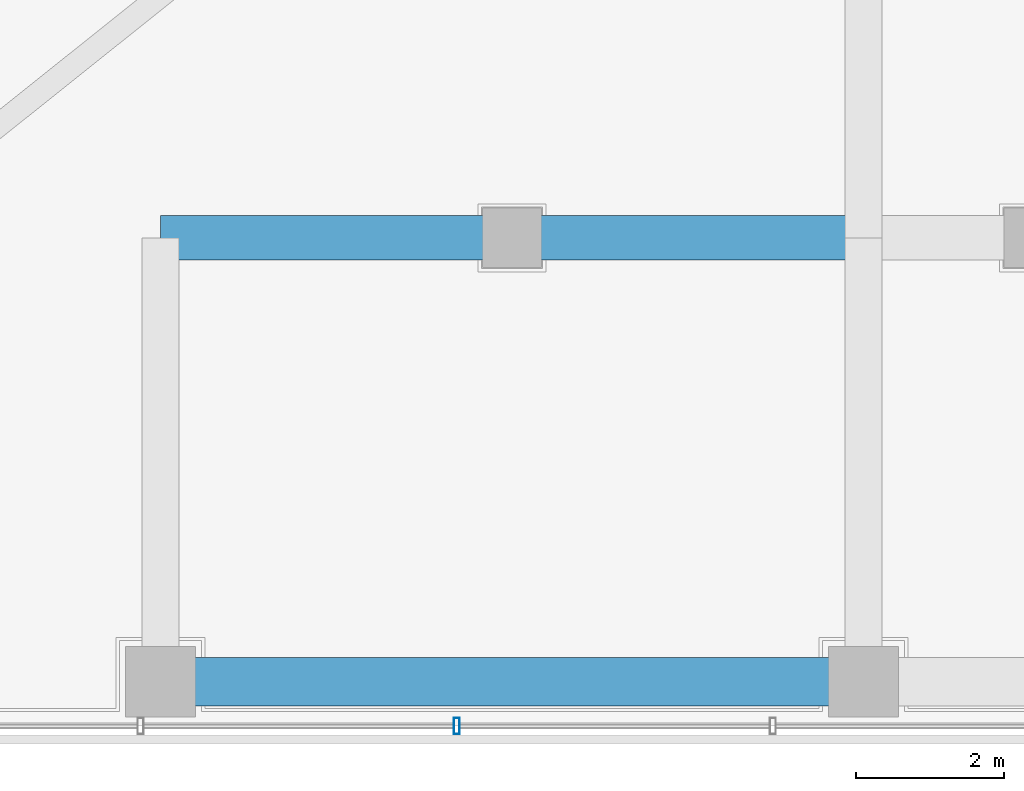
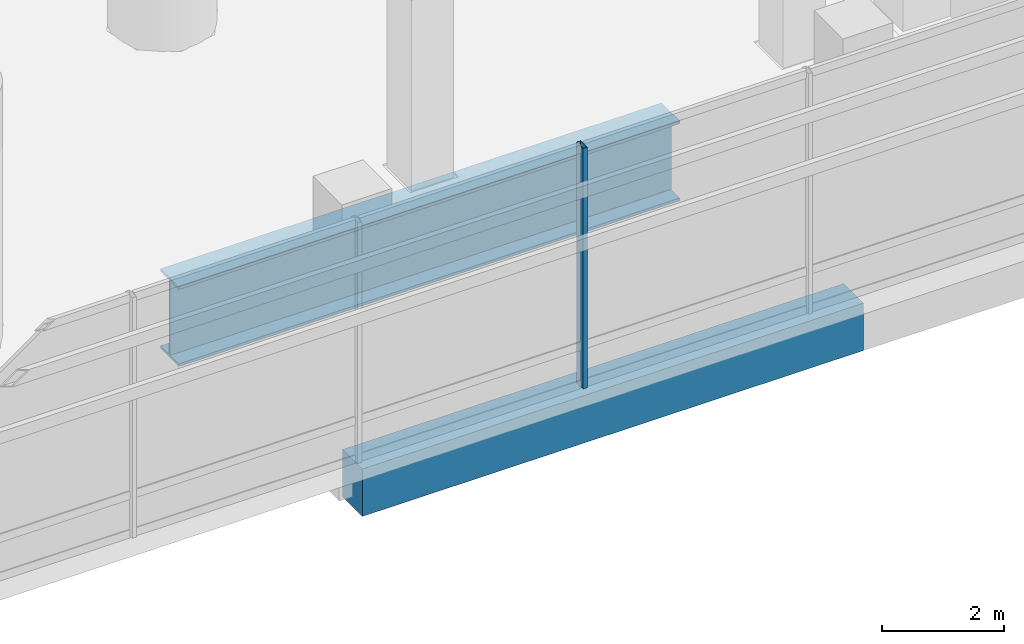
# One storey, part 9 of 31: 2 beams, 1 member, 1 element without a shape of its own.
"""IFC4 building model written with IfcOpenShell, lengths in metres."""

from ifc_helpers import new_model, si_unit, direction, frame, origin, origin_2d, place, context, subcontext, project, spatial, rectangle, hollow_rectangle, i_section, extrude, source, transform, mapped, material, material_profile, profile_set, type_object, element, aggregate, save


model = new_model("IFC4")

# Units and contexts
model_context = context("Model", 3, precision=1e-05, world=origin(), true_north=direction((-0.2419218956, 0.970295726276)))
body_context = subcontext(model_context, "Body", "Model", "MODEL_VIEW")
ifc_project = project(units=[si_unit("LENGTHUNIT", "METRE"), si_unit("AREAUNIT", "SQUARE_METRE"), si_unit("VOLUMEUNIT", "CUBIC_METRE"), si_unit("PLANEANGLEUNIT", "RADIAN"), si_unit("MASSUNIT", "GRAM", prefix="KILO")], contexts=[model_context])

# Site, building, storey
site_placement = place(None, origin())
site = spatial("IfcSite", under=ifc_project, at=site_placement, CompositionType="ELEMENT")
building_placement = place(site_placement, origin())
building = spatial("IfcBuilding", under=site, at=building_placement, Name="Cobrevalo Terracotta Tower", CompositionType="ELEMENT")
storey_placement = place(building_placement, frame((0.0, 0.0, 18.89990234375)))
storey = spatial("IfcBuildingStorey", under=building, at=storey_placement, Name="L04", CompositionType="ELEMENT", Elevation=18.89990234375)

# Beams
ifc_material_1 = material(Name="Concrete C50", Category="concrete")
ifc_material_profile_1 = material_profile(ifc_material_1, rectangle(XDim=0.64990234375, YDim=0.949951171875, at=origin_2d()), Name="RC BM 650x950")
ifc_profile_set_1 = profile_set([ifc_material_profile_1], Name="Concrete C50")
beam_type_1 = type_object("IfcBeamType", Name="Structural Spandrel RC BM 650x950 (Concrete C50)", PredefinedType="SPANDREL", material=ifc_profile_set_1)
beam_1_placement = place(storey_placement, frame((57.5, 2.800048828125, -0.9248046875), z_axis=(1.0, 0.0, 0.0), x_axis=(0.0, 1.0, 0.0)))
element("IfcBeam", 1, at=beam_1_placement, inside=storey, type_object=beam_type_1, Name="L04 podium grid beam G7-GA to G8-GA", PredefinedType="SPANDREL", context=body_context, shape_type="SweptSolid", body=[
    extrude(rectangle(XDim=0.64990234375, YDim=0.949951171875, at=origin_2d()), origin(), (0.0, 0.0, 1.0), 9.5),
])
ifc_material_2 = material(Name="Steel S355", Category="steel")
ifc_material_profile_2 = material_profile(ifc_material_2, i_section(OverallWidth=0.60009765625, OverallDepth=1.60009765625, WebThickness=0.031982421875, FlangeThickness=0.054931640625, at=origin_2d()), Name="PG 1600x600")
ifc_profile_set_2 = profile_set([ifc_material_profile_2], Name="Steel S355")
beam_type_2 = type_object("IfcBeamType", Name="Transfer Girder PG 1600x600 (Steel S355)", PredefinedType="BEAM", material=ifc_profile_set_2)
beam_2_placement = place(storey_placement, frame((57.5, 8.800048828125, -1.25), z_axis=(1.0, 0.0, 0.0), x_axis=(0.0, 1.0, 0.0)))
element("IfcBeam", 2, at=beam_2_placement, inside=storey, type_object=beam_type_2, Name="L04 podium transfer girder TG-E2", PredefinedType="BEAM", context=body_context, shape_type="SweptSolid", body=[
    extrude(i_section(OverallWidth=0.60009765625, OverallDepth=1.60009765625, WebThickness=0.031982421875, FlangeThickness=0.054931640625, at=origin_2d()), origin(), (0.0, 0.0, 1.0), 9.5),
])

# Curtain wall, member
ifc_material_3 = material(Name="Anodized aluminium", Category="aluminium")
curtain_wall_type = type_object("IfcCurtainWallType", Name="Podium gallery & conservatory curtain wall CW-S2", PredefinedType="NOTDEFINED", material=ifc_material_3)
curtain_wall_placement = place(storey_placement, origin())
curtain_wall = element("IfcCurtainWall", 3, at=curtain_wall_placement, inside=storey, type_object=curtain_wall_type, Name="L04 curtain wall CW-POD-L04-S", PredefinedType="NOTDEFINED")
ifc_material_profile_3 = material_profile(ifc_material_3, hollow_rectangle(XDim=0.080078125, YDim=0.219970703125, WallThickness=0.0048828125, at=origin_2d()), Name="CWM 80x220")
ifc_profile_set_3 = profile_set([ifc_material_profile_3], Name="Anodized aluminium")
member_type = type_object("IfcMemberType", Name="Storefront & atrium aluminium mullion 80x220", PredefinedType="MULLION", material=ifc_profile_set_3)
shared_shape = source(origin(), body_context, "Body", "SweptSolid", [
    extrude(hollow_rectangle(XDim=0.080078125, YDim=0.219970703125, WallThickness=0.0048828125, at=origin_2d()), origin(), (0.0, 0.0, 1.0), 4.820068359375),
])
member_placement = place(storey_placement, frame((61.50341796875, 2.199951171875, 0.0), z_axis=(0.0, 0.0, 1.0), x_axis=(1.0, 0.0, 0.0)))
member = element("IfcMember", 4, at=member_placement, type_object=member_type, Name="CW-POD-L04-S vertical mullion 14", PredefinedType="MULLION", context=body_context, shape_type="MappedRepresentation", body=[
    mapped(shared_shape, transform((0.0, 0.0, 0.0), scale=1.0)),
])
aggregate(curtain_wall, [member])

save(model, "model.ifc")
